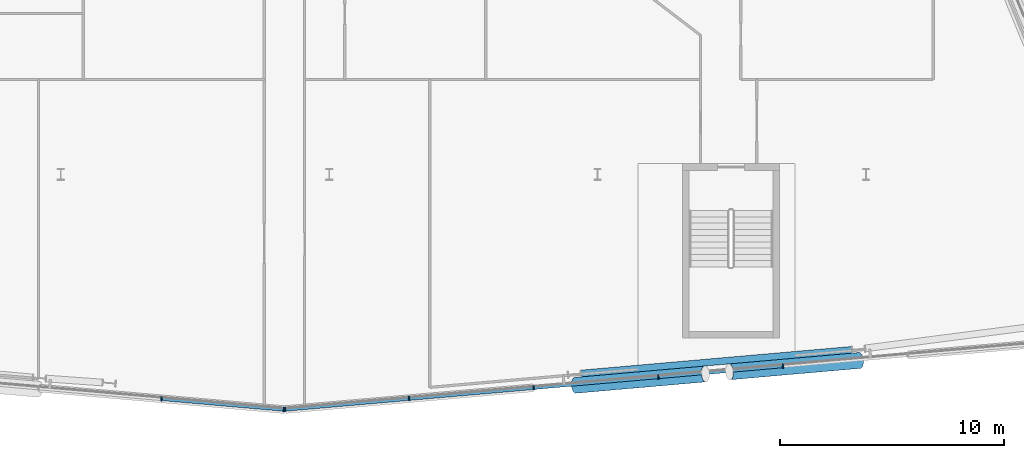
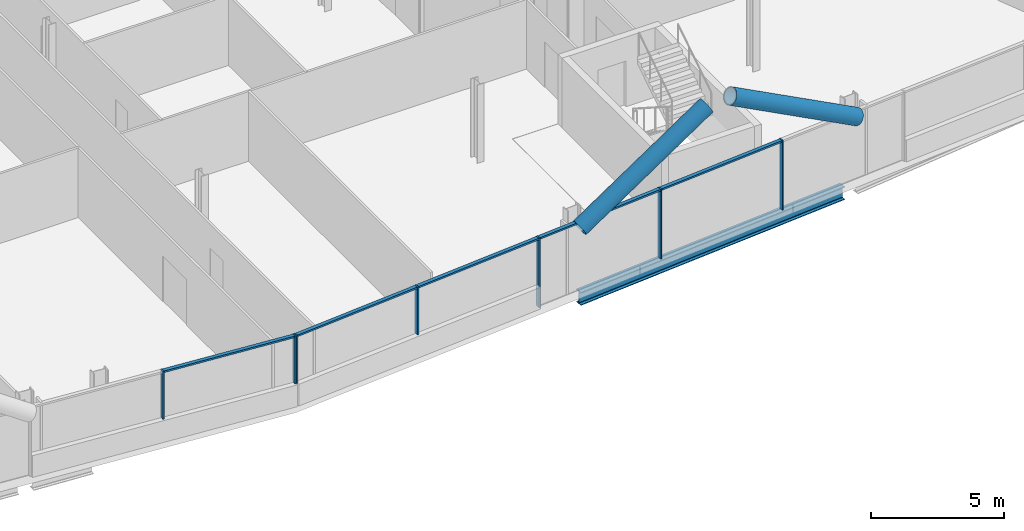
# One storey, part 8 of 26: 14 members, 1 beam, 2 elements without a shape of their own.
"""IFC4 building model written with IfcOpenShell, lengths in metres."""

from ifc_helpers import new_model, si_unit, direction, frame, origin, origin_2d, place, context, subcontext, project, spatial, rectangle, hollow_circle, i_section, extrude, material, material_profile, profile_set, type_object, element, aggregate, save


model = new_model("IFC4")

# Units and contexts
model_context = context("Model", 3, precision=1e-05, world=origin(), true_north=direction((0.0, 1.0)))
body_context = subcontext(model_context, "Body", "Model", "MODEL_VIEW")
ifc_project = project(units=[si_unit("LENGTHUNIT", "METRE"), si_unit("AREAUNIT", "SQUARE_METRE"), si_unit("VOLUMEUNIT", "CUBIC_METRE"), si_unit("PLANEANGLEUNIT", "RADIAN"), si_unit("MASSUNIT", "GRAM", prefix="KILO")], contexts=[model_context])

# Site, building, storey
site_placement = place(None, origin())
site = spatial("IfcSite", under=ifc_project, at=site_placement, CompositionType="ELEMENT")
building_placement = place(site_placement, origin())
building = spatial("IfcBuilding", under=site, at=building_placement, Name="Wharfspan Tower", CompositionType="ELEMENT")
storey_placement = place(building_placement, frame((0.0, 0.0, 169.899902)))
storey = spatial("IfcBuildingStorey", under=building, at=storey_placement, Name="L41", CompositionType="ELEMENT", Elevation=169.899902)

# Beam
ifc_material_1 = material(Name="Steel S355J2", Category="steel")
ifc_material_profile_1 = material_profile(ifc_material_1, i_section(OverallWidth=0.300049, OverallDepth=0.600098, WebThickness=0.015381, FlangeThickness=0.030029, FilletRadius=0.0271, at=origin_2d()))
ifc_profile_set_1 = profile_set([ifc_material_profile_1], Name="Steel S355J2")
beam_type = type_object("IfcBeamType", Name="Edge beam HEB 600", PredefinedType="SPANDREL", material=ifc_profile_set_1)
beam_placement = place(storey_placement, frame((59.265625, 2.600342, -0.699951), z_axis=(0.996195, 0.087155, 0.0), x_axis=(-0.087155, 0.996195, 0.0)))
element("IfcBeam", 1, at=beam_placement, inside=storey, type_object=beam_type, Name="Edge beam S2 L41 PS2.1 to PS2.2", PredefinedType="SPANDREL", context=body_context, shape_type="SweptSolid", body=[
    extrude(i_section(OverallWidth=0.300049, OverallDepth=0.600098, WebThickness=0.015381, FlangeThickness=0.030029, FilletRadius=0.0271, at=origin_2d()), origin(), (0.0, 0.0, 1.0), 12.137695),
])

# Curtain wall, members
ifc_material_2 = material(Name="Aluminium 6063-T6", Category="aluminium")
curtain_wall_type = type_object("IfcCurtainWallType", Name="CURTAIN WALL FACETED FRONT", PredefinedType="NOTDEFINED", material=ifc_material_2)
curtain_wall_1_placement = place(storey_placement, origin())
curtain_wall_1 = element("IfcCurtainWall", 2, at=curtain_wall_1_placement, inside=storey, type_object=curtain_wall_type, Name="Curtain wall S1", PredefinedType="NOTDEFINED")
ifc_material_profile_2 = material_profile(ifc_material_2, rectangle(XDim=0.199951, YDim=0.060059, at=origin_2d()))
ifc_profile_set_2 = profile_set([ifc_material_profile_2], Name="Aluminium 6063-T6")
member_type_1 = type_object("IfcMemberType", Name="MULLION FACETED FRONT 60x200", PredefinedType="MULLION", material=ifc_profile_set_2)
member_1_placement = place(storey_placement, frame((40.5, 1.469238, 1.0), z_axis=(0.0, 0.0, 1.0), x_axis=(0.087156, 0.996198, 0.0)))
member_1 = element("IfcMember", 3, at=member_1_placement, type_object=member_type_1, Name="Curtain wall S1 mullion 6", PredefinedType="MULLION", context=body_context, shape_type="SweptSolid", body=[
    extrude(rectangle(XDim=0.199951, YDim=0.060059, at=origin_2d()), origin(), (0.0, 0.0, 1.0), 2.200195),
])
member_2_placement = place(storey_placement, frame((45.970215, 0.990479, 1.0), z_axis=(0.0, 0.0, 1.0), x_axis=(0.087156, 0.996198, 0.0)))
member_2 = element("IfcMember", 4, at=member_2_placement, type_object=member_type_1, Name="Curtain wall S1 mullion 7", PredefinedType="MULLION", context=body_context, shape_type="SweptSolid", body=[
    extrude(rectangle(XDim=0.199951, YDim=0.060059, at=origin_2d()), origin(), (0.0, 0.0, 1.0), 2.200195),
])

curtain_wall_2_placement = place(storey_placement, origin())
curtain_wall_2 = element("IfcCurtainWall", 5, at=curtain_wall_2_placement, inside=storey, type_object=curtain_wall_type, Name="Curtain wall S2", PredefinedType="NOTDEFINED")
member_3_placement = place(storey_placement, frame((46.029785, 0.990479, 1.0), z_axis=(0.0, 0.0, 1.0), x_axis=(-0.087156, 0.996198, 0.0)))
member_3 = element("IfcMember", 6, at=member_3_placement, type_object=member_type_1, Name="Curtain wall S2 mullion 1", PredefinedType="MULLION", context=body_context, shape_type="SweptSolid", body=[
    extrude(rectangle(XDim=0.199951, YDim=0.060059, at=origin_2d()), origin(), (0.0, 0.0, 1.0), 2.200195),
])
member_4_placement = place(storey_placement, frame((51.571533, 1.475342, 1.0), z_axis=(0.0, 0.0, 1.0), x_axis=(-0.087156, 0.996198, 0.0)))
member_4 = element("IfcMember", 7, at=member_4_placement, type_object=member_type_1, Name="Curtain wall S2 mullion 2", PredefinedType="MULLION", context=body_context, shape_type="SweptSolid", body=[
    extrude(rectangle(XDim=0.199951, YDim=0.060059, at=origin_2d()), origin(), (0.0, 0.0, 1.0), 2.200195),
])
member_5_placement = place(storey_placement, frame((57.142822, 1.962891, 0.0), z_axis=(0.0, 0.0, 1.0), x_axis=(-0.087156, 0.996198, 0.0)))
member_5 = element("IfcMember", 8, at=member_5_placement, type_object=member_type_1, Name="Curtain wall S2 mullion 3", PredefinedType="MULLION", context=body_context, shape_type="SweptSolid", body=[
    extrude(rectangle(XDim=0.199951, YDim=0.060059, at=origin_2d()), origin(), (0.0, 0.0, 1.0), 3.200195),
])
member_6_placement = place(storey_placement, frame((62.714355, 2.450195, 0.0), z_axis=(0.0, 0.0, 1.0), x_axis=(-0.087156, 0.996198, 0.0)))
member_6 = element("IfcMember", 9, at=member_6_placement, type_object=member_type_1, Name="Curtain wall S2 mullion 4", PredefinedType="MULLION", context=body_context, shape_type="SweptSolid", body=[
    extrude(rectangle(XDim=0.199951, YDim=0.060059, at=origin_2d()), origin(), (0.0, 0.0, 1.0), 3.200195),
])
member_7_placement = place(storey_placement, frame((68.285645, 2.937744, 0.0), z_axis=(0.0, 0.0, 1.0), x_axis=(-0.087156, 0.996198, 0.0)))
member_7 = element("IfcMember", 10, at=member_7_placement, type_object=member_type_1, Name="Curtain wall S2 mullion 5", PredefinedType="MULLION", context=body_context, shape_type="SweptSolid", body=[
    extrude(rectangle(XDim=0.199951, YDim=0.060059, at=origin_2d()), origin(), (0.0, 0.0, 1.0), 3.200195),
])

# Members
ifc_material_3 = material(Name="Steel S460NH", Category="steel")
ifc_material_profile_3 = material_profile(ifc_material_3, hollow_circle(Radius=0.355469, WallThickness=0.035889, at=origin_2d()))
ifc_profile_set_3 = profile_set([ifc_material_profile_3], Name="Steel S460NH")
member_type_2 = type_object("IfcMemberType", Name="Mega brace CHS 711x36", PredefinedType="BRACE", material=ifc_profile_set_3)
member_8_placement = place(storey_placement, frame((59.004883, 2.070557, 2.900146), z_axis=(0.867427, 0.07588, 0.491745), x_axis=(-0.087145, 0.996197, 1e-06)))
element("IfcMember", 11, at=member_8_placement, inside=storey, type_object=member_type_2, Name="Mega brace S2 L42 part 1", PredefinedType="BRACE", context=body_context, shape_type="SweptSolid", body=[
    extrude(hollow_circle(Radius=0.355469, WallThickness=0.035889, at=origin_2d()), origin(), (0.0, 0.0, 1.0), 6.695557),
])
member_9_placement = place(storey_placement, frame((71.706055, 3.181641, 2.900146), z_axis=(-0.867436, -0.075878, 0.491729), x_axis=(0.08714, -0.996196, -2e-06)))
element("IfcMember", 12, at=member_9_placement, inside=storey, type_object=member_type_2, Name="Mega brace S2 L42 part 3", PredefinedType="BRACE", context=body_context, shape_type="SweptSolid", body=[
    extrude(hollow_circle(Radius=0.355469, WallThickness=0.035889, at=origin_2d()), origin(), (0.0, 0.0, 1.0), 6.695801),
])

# Member
ifc_material_profile_4 = material_profile(ifc_material_2, rectangle(XDim=0.159912, YDim=0.080078, at=origin_2d()))
ifc_profile_set_4 = profile_set([ifc_material_profile_4], Name="Aluminium 6063-T6")
member_type_3 = type_object("IfcMemberType", Name="TRANSOM FACETED FRONT 80x160", PredefinedType="USERDEFINED", material=ifc_profile_set_4)
member_10_placement = place(storey_placement, frame((40.529785, 1.466553, 3.160156), z_axis=(0.996194, -0.087163, 0.0), x_axis=(0.087163, 0.996194, 0.0)))
member_10 = element("IfcMember", 13, at=member_10_placement, type_object=member_type_3, Name="Curtain wall S1 transom 6", ObjectType="TRANSOM", PredefinedType="USERDEFINED", context=body_context, shape_type="SweptSolid", body=[
    extrude(rectangle(XDim=0.159912, YDim=0.080078, at=origin_2d()), origin(), (0.0, 0.0, 1.0), 5.431152),
])

aggregate(curtain_wall_1, [member_1, member_2, member_10])

member_11_placement = place(storey_placement, frame((46.059814, 0.993164, 3.160156), z_axis=(0.996196, 0.087139, 0.0), x_axis=(-0.087139, 0.996196, 0.0)))
member_11 = element("IfcMember", 14, at=member_11_placement, type_object=member_type_3, Name="Curtain wall S2 transom 1", ObjectType="TRANSOM", PredefinedType="USERDEFINED", context=body_context, shape_type="SweptSolid", body=[
    extrude(rectangle(XDim=0.159912, YDim=0.080078, at=origin_2d()), origin(), (0.0, 0.0, 1.0), 5.502686),
])

member_12_placement = place(storey_placement, frame((51.601318, 1.478027, 3.160156), z_axis=(0.996195, 0.087149, 0.0), x_axis=(-0.087149, 0.996195, 0.0)))
member_12 = element("IfcMember", 15, at=member_12_placement, type_object=member_type_3, Name="Curtain wall S2 transom 2", ObjectType="TRANSOM", PredefinedType="USERDEFINED", context=body_context, shape_type="SweptSolid", body=[
    extrude(rectangle(XDim=0.159912, YDim=0.080078, at=origin_2d()), origin(), (0.0, 0.0, 1.0), 5.532715),
])

member_13_placement = place(storey_placement, frame((57.172852, 1.965332, 3.160156), z_axis=(0.996191, 0.087197, 0.0), x_axis=(-0.087197, 0.996191, 0.0)))
member_13 = element("IfcMember", 16, at=member_13_placement, type_object=member_type_3, Name="Curtain wall S2 transom 3", ObjectType="TRANSOM", PredefinedType="USERDEFINED", context=body_context, shape_type="SweptSolid", body=[
    extrude(rectangle(XDim=0.159912, YDim=0.080078, at=origin_2d()), origin(), (0.0, 0.0, 1.0), 5.532471),
])

member_14_placement = place(storey_placement, frame((62.744141, 2.452881, 3.160156), z_axis=(0.996195, 0.087149, 0.0), x_axis=(-0.087149, 0.996195, 0.0)))
member_14 = element("IfcMember", 17, at=member_14_placement, type_object=member_type_3, Name="Curtain wall S2 transom 4", ObjectType="TRANSOM", PredefinedType="USERDEFINED", context=body_context, shape_type="SweptSolid", body=[
    extrude(rectangle(XDim=0.159912, YDim=0.080078, at=origin_2d()), origin(), (0.0, 0.0, 1.0), 5.532715),
])

aggregate(curtain_wall_2, [member_3, member_4, member_5, member_6, member_7, member_11, member_12, member_13, member_14])

save(model, "model.ifc")
